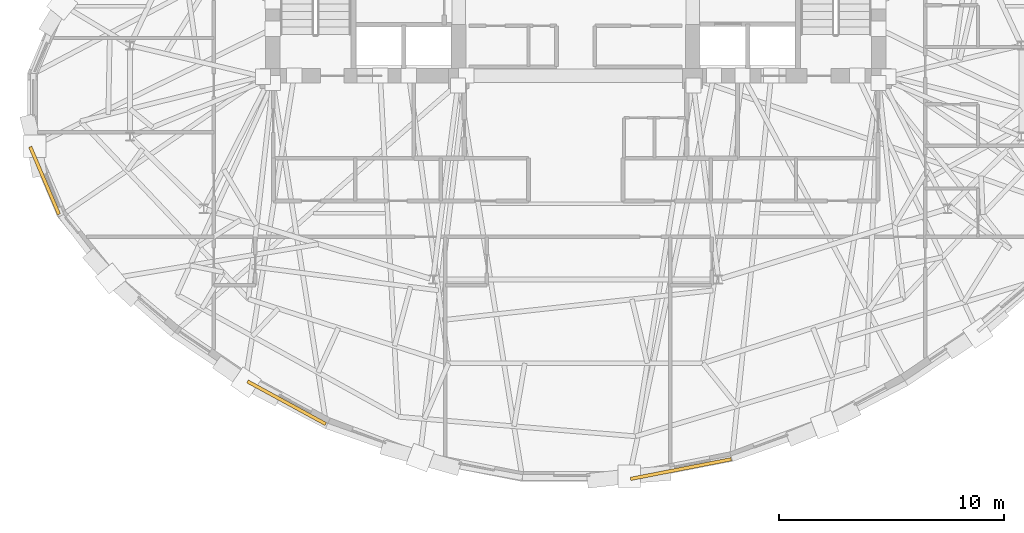
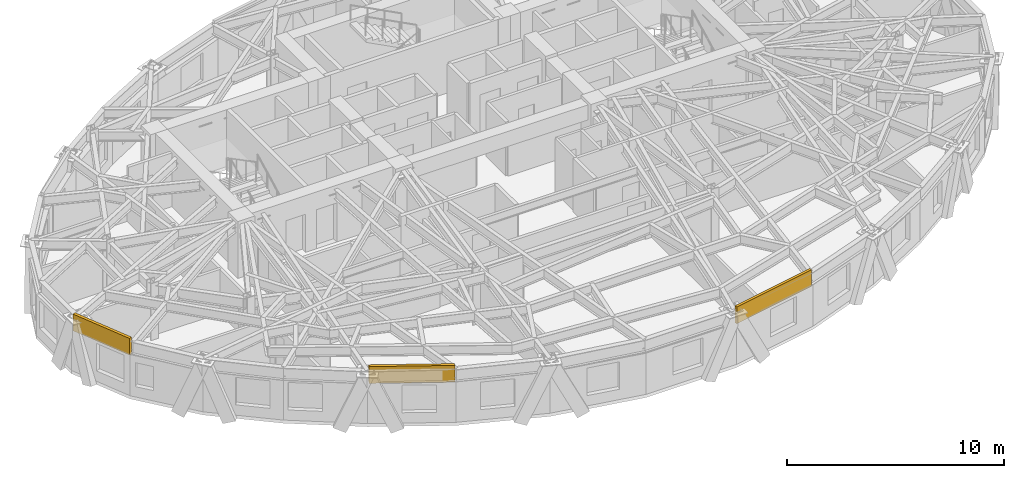
# One storey, part 11 of 14: 3 coverings.
"""IFC4 building model written with IfcOpenShell, lengths in metres."""

from ifc_helpers import new_model, si_unit, direction, frame, origin, origin_2d, place, context, subcontext, project, spatial, rectangle, extrude, material, layer, layer_set, type_object, element, save


model = new_model("IFC4")

# Units and contexts
model_context = context("Model", 3, precision=1e-05, world=origin(), true_north=direction((0.0, 1.0)))
body_context = subcontext(model_context, "Body", "Model", "MODEL_VIEW")
ifc_project = project(units=[si_unit("LENGTHUNIT", "METRE"), si_unit("AREAUNIT", "SQUARE_METRE"), si_unit("VOLUMEUNIT", "CUBIC_METRE"), si_unit("PLANEANGLEUNIT", "RADIAN"), si_unit("MASSUNIT", "GRAM", prefix="KILO")], contexts=[model_context])

# Site, building, storey
site_placement = place(None, origin())
site = spatial("IfcSite", under=ifc_project, at=site_placement, CompositionType="ELEMENT")
building_placement = place(site_placement, origin())
building = spatial("IfcBuilding", under=site, at=building_placement, Name="Keldmark Tower", CompositionType="ELEMENT")
storey_placement = place(building_placement, frame((0.0, 0.0, 191.800048828125)))
storey = spatial("IfcBuildingStorey", under=building, at=storey_placement, Name="L53", CompositionType="ELEMENT", Elevation=191.800048828125)

# Coverings
ifc_material = material(Name="Honed Kasota Buff Dolomitic Limestone", Category="masonry")
ifc_layer = layer(ifc_material, 0.074951171875)
ifc_layer_set = layer_set([ifc_layer], Name="Honed Kasota Buff Dolomitic Limestone")
covering_type = type_object("IfcCoveringType", Name="Kasota Buff Limestone Spandrel Cladding Band", PredefinedType="CLADDING", material=ifc_layer_set)
covering_1_placement = place(storey_placement, frame((-23.629638671875, -3.143310546875, 2.239013671875), z_axis=(0.0, 0.0, 1.0), x_axis=(0.391550331455, -0.920156692057, 0.0)))
element("IfcCovering", 1, at=covering_1_placement, inside=storey, type_object=covering_type, Name="L53 Kasota Limestone Spandrel Band 17", PredefinedType="CLADDING", context=body_context, shape_type="SweptSolid", body=[
    extrude(rectangle(XDim=3.265380859375, YDim=0.14990234375, at=origin_2d()), origin(), (0.0, 0.0, 1.0), 0.94091796875),
])
covering_2_placement = place(storey_placement, frame((-12.860595703125, -13.029541015625, 2.239013671875), z_axis=(0.0, 0.0, 1.0), x_axis=(0.878166715179, -0.4783547014, 0.0)))
element("IfcCovering", 2, at=covering_2_placement, inside=storey, type_object=covering_type, Name="L53 Kasota Limestone Spandrel Band 21", PredefinedType="CLADDING", context=body_context, shape_type="SweptSolid", body=[
    extrude(rectangle(XDim=3.965087890625, YDim=0.14990234375, at=origin_2d()), origin(), (0.0, 0.0, 1.0), 0.94091796875),
])
covering_3_placement = place(storey_placement, frame((4.678955078125, -15.98046875, 2.239013671875), z_axis=(0.0, 0.0, 1.0), x_axis=(0.981406736045, 0.191939621874, 0.0)))
element("IfcCovering", 3, at=covering_3_placement, inside=storey, type_object=covering_type, Name="L53 Kasota Limestone Spandrel Band 25", PredefinedType="CLADDING", context=body_context, shape_type="SweptSolid", body=[
    extrude(rectangle(XDim=4.56201171875, YDim=0.14990234375, at=origin_2d()), origin(), (0.0, 0.0, 1.0), 0.94091796875),
])

save(model, "model.ifc")
